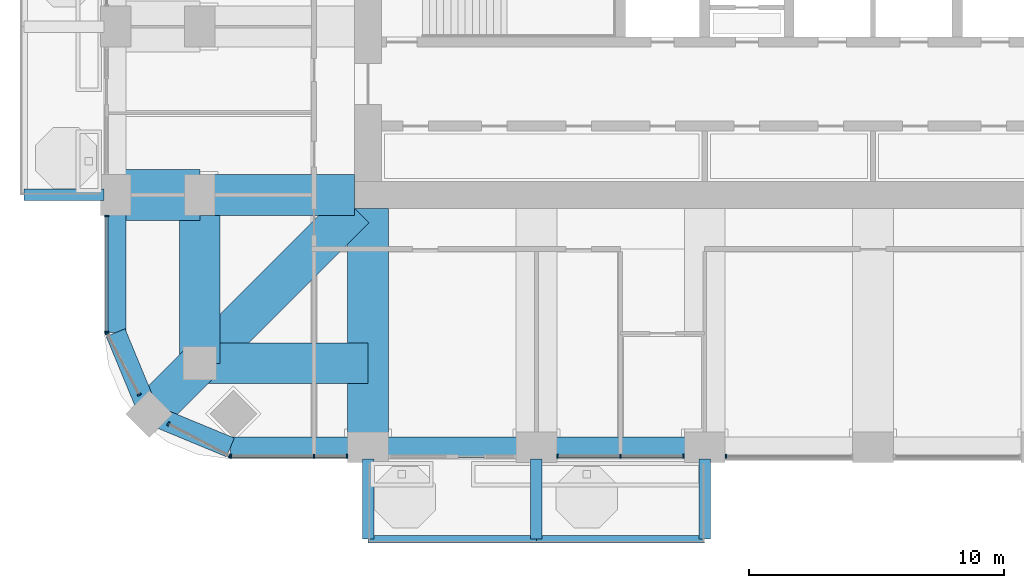
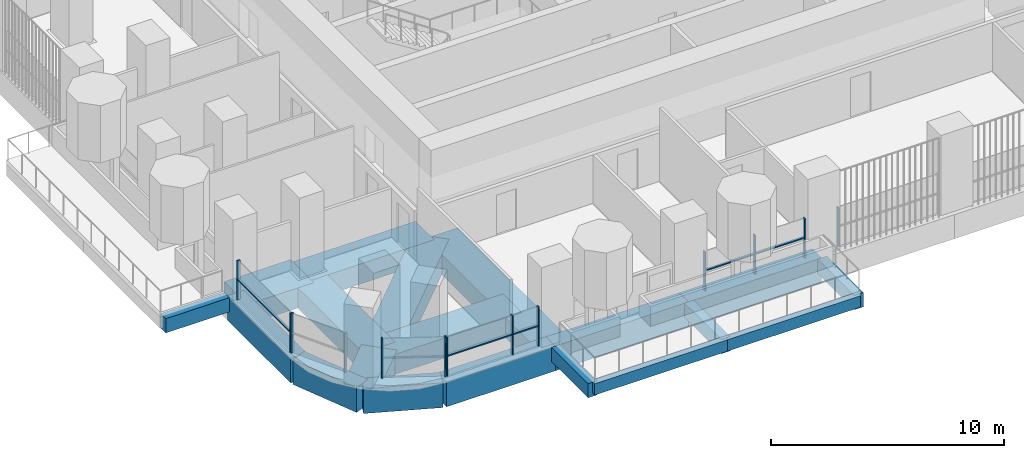
# One storey, part 2 of 20: 19 beams, 18 members, 6 elements without a shape of their own.
"""IFC4 building model written with IfcOpenShell, lengths in metres."""

from ifc_helpers import new_model, si_unit, direction, frame, origin, origin_2d, place, context, subcontext, project, spatial, rectangle, extrude, material, material_profile, profile_set, type_object, element, aggregate, save


model = new_model("IFC4")

# Units and contexts
model_context = context("Model", 3, precision=1e-05, world=origin(), true_north=direction((0.0, 1.0)))
body_context = subcontext(model_context, "Body", "Model", "MODEL_VIEW")
ifc_project = project(units=[si_unit("LENGTHUNIT", "METRE"), si_unit("AREAUNIT", "SQUARE_METRE"), si_unit("VOLUMEUNIT", "CUBIC_METRE"), si_unit("PLANEANGLEUNIT", "RADIAN"), si_unit("MASSUNIT", "GRAM", prefix="KILO")], contexts=[model_context])

# Site, building, storey
site_placement = place(None, origin())
site = spatial("IfcSite", under=ifc_project, at=site_placement, CompositionType="ELEMENT")
building_placement = place(site_placement, origin())
building = spatial("IfcBuilding", under=site, at=building_placement, Name="Cobogo Forest Laboratory Tower", CompositionType="ELEMENT")
storey_placement = place(building_placement, frame((0.0, 0.0, 218.699951171875)))
storey = spatial("IfcBuildingStorey", under=building, at=storey_placement, Name="L50", CompositionType="ELEMENT", Elevation=218.699951171875)

# Beams
ifc_material_1 = material(Name="Concrete HA-40 (C40/50)", Category="concrete")
ifc_material_profile_1 = material_profile(ifc_material_1, rectangle(XDim=0.449951171875, YDim=0.75, at=origin_2d()), Name="RC 450x750")
ifc_profile_set_1 = profile_set([ifc_material_profile_1], Name="Concrete HA-40 (C40/50)")
beam_type_1 = type_object("IfcBeamType", Name="Balcony cantilever beam 450x750", PredefinedType="BEAM", material=ifc_profile_set_1)
for number, where, z_axis, x_axis, name in (
    (1, (13.199951171875, 2.85009765625, -0.625), (0.0, -1.0, 0.0), (1.0, 0.0, 0.0), "CB1 BAL-S1-C1 L50"),
    (2, (19.800048828125, 2.85009765625, -0.625), (0.0, -1.0, 0.0), (1.0, 0.0, 0.0), "CB1 BAL-S1-C2 L50"),
    (3, (26.39990234375, 2.85009765625, -0.625), (0.0, -1.0, 0.0), (1.0, 0.0, 0.0), "CB1 BAL-S1-C3 L50"),
    (4, (2.85009765625, 13.199951171875, -0.625), (-1.0, 0.0, 0.0), (0.0, -1.0, 0.0), "CB1 BAL-W1-C1 L50"),
):
    element("IfcBeam", number, at=place(storey_placement, frame(where, z_axis=z_axis, x_axis=x_axis)), inside=storey, type_object=beam_type_1, Name=name, PredefinedType="BEAM", context=body_context, shape_type="SweptSolid", body=[
        extrude(rectangle(XDim=0.449951171875, YDim=0.75, at=origin_2d()), origin(), (0.0, 0.0, 1.0), 3.150146484375),
    ])
ifc_material_profile_2 = material_profile(ifc_material_1, rectangle(XDim=0.300048828125, YDim=0.60009765625, at=origin_2d()), Name="RC 300x600")
ifc_profile_set_2 = profile_set([ifc_material_profile_2], Name="Concrete HA-40 (C40/50)")
beam_type_2 = type_object("IfcBeamType", Name="Balcony edge beam 300x600", PredefinedType="BEAM", material=ifc_profile_set_2)
beam_1_placement = place(storey_placement, frame((13.199951171875, -0.300048828125, -0.550048828125), z_axis=(1.0, 0.0, 0.0), x_axis=(0.0, 1.0, 0.0)))
element("IfcBeam", 5, at=beam_1_placement, inside=storey, type_object=beam_type_2, Name="BB1 BAL-S1-T1 L50", PredefinedType="BEAM", context=body_context, shape_type="SweptSolid", body=[
    extrude(rectangle(XDim=0.300048828125, YDim=0.60009765625, at=origin_2d()), origin(), (0.0, 0.0, 1.0), 6.60009765625),
])
beam_2_placement = place(storey_placement, frame((19.800048828125, -0.300048828125, -0.550048828125), z_axis=(1.0, 0.0, 0.0), x_axis=(0.0, 1.0, 0.0)))
element("IfcBeam", 6, at=beam_2_placement, inside=storey, type_object=beam_type_2, Name="BB1 BAL-S1-T2 L50", PredefinedType="BEAM", context=body_context, shape_type="SweptSolid", body=[
    extrude(rectangle(XDim=0.300048828125, YDim=0.60009765625, at=origin_2d()), origin(), (0.0, 0.0, 1.0), 6.599853515625),
])
ifc_material_2 = material(Name="Concrete HA-50 (C50/60)", Category="concrete")
ifc_material_profile_3 = material_profile(ifc_material_2, rectangle(XDim=2.0, YDim=1.050048828125, at=origin_2d()), Name="RC 2000x1050")
ifc_profile_set_3 = profile_set([ifc_material_profile_3], Name="Concrete HA-50 (C50/60)")
beam_type_3 = type_object("IfcBeamType", Name="End-bay wide beam 2000x1050", PredefinedType="BEAM", material=ifc_profile_set_3)
beam_3_placement = place(storey_placement, frame((3.300048828125, 13.199951171875, -0.824951171875), z_axis=(1.0, 0.0, 0.0), x_axis=(0.0, 1.0, 0.0)))
element("IfcBeam", 7, at=beam_3_placement, inside=storey, type_object=beam_type_3, Name="RB7 R-C-W-X L50", PredefinedType="BEAM", context=body_context, shape_type="SweptSolid", body=[
    extrude(rectangle(XDim=2.0, YDim=1.050048828125, at=origin_2d()), origin(), (0.0, 0.0, 1.0), 3.300048828125),
])
ifc_material_profile_4 = material_profile(ifc_material_2, rectangle(XDim=1.60009765625, YDim=1.050048828125, at=origin_2d()), Name="RC 1600x1050")
ifc_profile_set_4 = profile_set([ifc_material_profile_4], Name="Concrete HA-50 (C50/60)")
beam_type_4 = type_object("IfcBeamType", Name="Laboratory floor wide beam 1600x1050", PredefinedType="BEAM", material=ifc_profile_set_4)
beam_4_placement = place(storey_placement, frame((13.199951171875, 12.675048828125, -0.824951171875), z_axis=(0.0, -1.0, 0.0), x_axis=(1.0, 0.0, 0.0)))
element("IfcBeam", 8, at=beam_4_placement, inside=storey, type_object=beam_type_4, Name="RB8 R-3-S L50", PredefinedType="BEAM", context=body_context, shape_type="SweptSolid", body=[
    extrude(rectangle(XDim=1.60009765625, YDim=1.050048828125, at=origin_2d()), origin(), (0.0, 0.0, 1.0), 9.375),
])
beam_5_placement = place(storey_placement, frame((12.675048828125, 13.199951171875, -0.824951171875), z_axis=(-1.0, 0.0, 0.0), x_axis=(0.0, -1.0, 0.0)))
element("IfcBeam", 9, at=beam_5_placement, inside=storey, type_object=beam_type_4, Name="RB8 R-C-W L50", PredefinedType="BEAM", context=body_context, shape_type="SweptSolid", body=[
    extrude(rectangle(XDim=1.60009765625, YDim=1.050048828125, at=origin_2d()), origin(), (0.0, 0.0, 1.0), 6.074951171875),
])
for number, where, z_axis, x_axis, name in (
    (10, (6.60009765625, 6.60009765625, -0.824951171875), (0.0, 1.0, 0.0), (-1.0, 0.0, 0.0), "RB8 G-SW-XC L50"),
    (11, (6.60009765625, 6.60009765625, -0.824951171875), (1.0, 0.0, 0.0), (0.0, 1.0, 0.0), "RB8 G-SW-YC L50"),
):
    element("IfcBeam", number, at=place(storey_placement, frame(where, z_axis=z_axis, x_axis=x_axis)), inside=storey, type_object=beam_type_4, Name=name, PredefinedType="BEAM", context=body_context, shape_type="SweptSolid", body=[
        extrude(rectangle(XDim=1.60009765625, YDim=1.050048828125, at=origin_2d()), origin(), (0.0, 0.0, 1.0), 6.599853515625),
    ])
beam_6_placement = place(storey_placement, frame((4.617919921875, 4.617919921875, -0.824951171875), z_axis=(0.707106781187, 0.707106781187, 0.0), x_axis=(-0.707106781187, 0.707106781187, 0.0)))
element("IfcBeam", 12, at=beam_6_placement, inside=storey, type_object=beam_type_4, Name="RB8 G-SW-D1 L50", PredefinedType="BEAM", context=body_context, shape_type="SweptSolid", body=[
    extrude(rectangle(XDim=1.60009765625, YDim=1.050048828125, at=origin_2d()), origin(), (0.0, 0.0, 1.0), 2.80322265625),
])
beam_7_placement = place(storey_placement, frame((6.60009765625, 6.60009765625, -0.824951171875), z_axis=(0.707106781187, 0.707106781187, 0.0), x_axis=(-0.707106781187, 0.707106781187, 0.0)))
element("IfcBeam", 13, at=beam_7_placement, inside=storey, type_object=beam_type_4, Name="RB8 G-SW-D2 L50", PredefinedType="BEAM", context=body_context, shape_type="SweptSolid", body=[
    extrude(rectangle(XDim=1.60009765625, YDim=1.050048828125, at=origin_2d()), origin(), (0.0, 0.0, 1.0), 8.59130859375),
])

# Curtain wall, members
ifc_material_3 = material(Name="Aluminium curtain wall", Category="aluminium")
curtain_wall_type = type_object("IfcCurtainWallType", Name="CW-2 unitised curtain wall, solar control glazing, laboratory floors zones C and D", PredefinedType="USERDEFINED", material=ifc_material_3)
curtain_wall_1_placement = place(storey_placement, origin())
curtain_wall_1 = element("IfcCurtainWall", 14, at=curtain_wall_1_placement, inside=storey, type_object=curtain_wall_type, Name="Curtain wall 01 L50", ObjectType="UNITISED CURTAIN WALL", PredefinedType="USERDEFINED")
ifc_material_4 = material(Name="Aluminium mullion", Category="aluminium")
ifc_material_profile_5 = material_profile(ifc_material_4, rectangle(XDim=0.06005859375, YDim=0.159912109375, at=origin_2d()), Name="AL 60x160")
ifc_profile_set_5 = profile_set([ifc_material_profile_5], Name="Aluminium mullion")
member_type_1 = type_object("IfcMemberType", Name="MU-1 aluminium mullion 60x160", PredefinedType="MULLION", material=ifc_profile_set_5)
member_1_placement = place(storey_placement, frame((7.830078125, 2.949951171875, 0.0), z_axis=(0.0, 0.0, 1.0), x_axis=(1.0, 0.0, 0.0)))
member_1 = element("IfcMember", 15, at=member_1_placement, type_object=member_type_1, Name="CW-2 mullion 1", PredefinedType="MULLION", context=body_context, shape_type="SweptSolid", body=[
    extrude(rectangle(XDim=0.06005859375, YDim=0.159912109375, at=origin_2d()), origin(), (0.0, 0.0, 1.0), 2.050048828125),
])
member_2_placement = place(storey_placement, frame((11.074951171875, 2.949951171875, 0.0), z_axis=(0.0, 0.0, 1.0), x_axis=(1.0, 0.0, 0.0)))
member_2 = element("IfcMember", 16, at=member_2_placement, type_object=member_type_1, Name="CW-2 mullion 2", PredefinedType="MULLION", context=body_context, shape_type="SweptSolid", body=[
    extrude(rectangle(XDim=0.06005859375, YDim=0.159912109375, at=origin_2d()), origin(), (0.0, 0.0, 1.0), 2.050048828125),
])
member_3_placement = place(storey_placement, frame((12.3701171875, 2.949951171875, 0.0), z_axis=(0.0, 0.0, 1.0), x_axis=(1.0, 0.0, 0.0)))
member_3 = element("IfcMember", 17, at=member_3_placement, type_object=member_type_1, Name="CW-2 mullion 3", PredefinedType="MULLION", context=body_context, shape_type="SweptSolid", body=[
    extrude(rectangle(XDim=0.06005859375, YDim=0.159912109375, at=origin_2d()), origin(), (0.0, 0.0, 1.0), 2.050048828125),
])

curtain_wall_2_placement = place(storey_placement, origin())
curtain_wall_2 = element("IfcCurtainWall", 18, at=curtain_wall_2_placement, inside=storey, type_object=curtain_wall_type, Name="Curtain wall 03 L50", ObjectType="UNITISED CURTAIN WALL", PredefinedType="USERDEFINED")
member_4_placement = place(storey_placement, frame((20.6298828125, 2.949951171875, 0.0), z_axis=(0.0, 0.0, 1.0), x_axis=(1.0, 0.0, 0.0)))
member_4 = element("IfcMember", 19, at=member_4_placement, type_object=member_type_1, Name="CW-2 mullion 1", PredefinedType="MULLION", context=body_context, shape_type="SweptSolid", body=[
    extrude(rectangle(XDim=0.06005859375, YDim=0.159912109375, at=origin_2d()), origin(), (0.0, 0.0, 1.0), 2.050048828125),
])
member_5_placement = place(storey_placement, frame((23.10009765625, 2.949951171875, 0.0), z_axis=(0.0, 0.0, 1.0), x_axis=(1.0, 0.0, 0.0)))
member_5 = element("IfcMember", 20, at=member_5_placement, type_object=member_type_1, Name="CW-2 mullion 2", PredefinedType="MULLION", context=body_context, shape_type="SweptSolid", body=[
    extrude(rectangle(XDim=0.06005859375, YDim=0.159912109375, at=origin_2d()), origin(), (0.0, 0.0, 1.0), 2.050048828125),
])
member_6_placement = place(storey_placement, frame((25.570068359375, 2.949951171875, 0.0), z_axis=(0.0, 0.0, 1.0), x_axis=(1.0, 0.0, 0.0)))
member_6 = element("IfcMember", 21, at=member_6_placement, type_object=member_type_1, Name="CW-2 mullion 3", PredefinedType="MULLION", context=body_context, shape_type="SweptSolid", body=[
    extrude(rectangle(XDim=0.06005859375, YDim=0.159912109375, at=origin_2d()), origin(), (0.0, 0.0, 1.0), 2.050048828125),
])

# Curtain wall, member
curtain_wall_3_placement = place(storey_placement, origin())
curtain_wall_3 = element("IfcCurtainWall", 22, at=curtain_wall_3_placement, inside=storey, type_object=curtain_wall_type, Name="Curtain wall 04 L50", ObjectType="UNITISED CURTAIN WALL", PredefinedType="USERDEFINED")
member_7_placement = place(storey_placement, frame((27.22998046875, 2.949951171875, 0.0), z_axis=(0.0, 0.0, 1.0), x_axis=(1.0, 0.0, 0.0)))
member_7 = element("IfcMember", 23, at=member_7_placement, type_object=member_type_1, Name="CW-2 mullion 1", PredefinedType="MULLION", context=body_context, shape_type="SweptSolid", body=[
    extrude(rectangle(XDim=0.06005859375, YDim=0.159912109375, at=origin_2d()), origin(), (0.0, 0.0, 1.0), 2.050048828125),
])
aggregate(curtain_wall_3, [member_7])

# Curtain wall, members
curtain_wall_4_placement = place(storey_placement, origin())
curtain_wall_4 = element("IfcCurtainWall", 24, at=curtain_wall_4_placement, inside=storey, type_object=curtain_wall_type, Name="Curtain wall 28 L50", ObjectType="UNITISED CURTAIN WALL", PredefinedType="USERDEFINED")
member_8_placement = place(storey_placement, frame((2.949951171875, 12.3701171875, 0.0), z_axis=(0.0, 0.0, 1.0), x_axis=(0.0, -1.0, 0.0)))
member_8 = element("IfcMember", 25, at=member_8_placement, type_object=member_type_1, Name="CW-2 mullion 1", PredefinedType="MULLION", context=body_context, shape_type="SweptSolid", body=[
    extrude(rectangle(XDim=0.06005859375, YDim=0.159912109375, at=origin_2d()), origin(), (0.0, 0.0, 1.0), 2.050048828125),
])
member_9_placement = place(storey_placement, frame((2.949951171875, 7.830078125, 0.0), z_axis=(0.0, 0.0, 1.0), x_axis=(0.0, -1.0, 0.0)))
member_9 = element("IfcMember", 26, at=member_9_placement, type_object=member_type_1, Name="CW-2 mullion 2", PredefinedType="MULLION", context=body_context, shape_type="SweptSolid", body=[
    extrude(rectangle(XDim=0.06005859375, YDim=0.159912109375, at=origin_2d()), origin(), (0.0, 0.0, 1.0), 2.050048828125),
])

curtain_wall_5_placement = place(storey_placement, origin())
curtain_wall_5 = element("IfcCurtainWall", 27, at=curtain_wall_5_placement, inside=storey, type_object=curtain_wall_type, Name="Curtain wall 29 L50", ObjectType="UNITISED CURTAIN WALL", PredefinedType="USERDEFINED")
member_10_placement = place(storey_placement, frame((2.9638671875, 7.7734375, 0.0), z_axis=(0.0, 0.0, 1.0), x_axis=(0.464283685186, -0.885686547075, 0.0)))
member_10 = element("IfcMember", 28, at=member_10_placement, type_object=member_type_1, Name="CW-2 mullion 1", PredefinedType="MULLION", context=body_context, shape_type="SweptSolid", body=[
    extrude(rectangle(XDim=0.06005859375, YDim=0.159912109375, at=origin_2d()), origin(), (0.0, 0.0, 1.0), 2.050048828125),
])
member_11_placement = place(storey_placement, frame((4.224609375, 5.368408203125, 0.0), z_axis=(0.0, 0.0, 1.0), x_axis=(0.464283685186, -0.885686547075, 0.0)))
member_11 = element("IfcMember", 29, at=member_11_placement, type_object=member_type_1, Name="CW-2 mullion 2", PredefinedType="MULLION", context=body_context, shape_type="SweptSolid", body=[
    extrude(rectangle(XDim=0.06005859375, YDim=0.159912109375, at=origin_2d()), origin(), (0.0, 0.0, 1.0), 2.050048828125),
])
aggregate(curtain_wall_5, [member_10, member_11])

curtain_wall_6_placement = place(storey_placement, origin())
curtain_wall_6 = element("IfcCurtainWall", 30, at=curtain_wall_6_placement, inside=storey, type_object=curtain_wall_type, Name="Curtain wall 30 L50", ObjectType="UNITISED CURTAIN WALL", PredefinedType="USERDEFINED")
member_12_placement = place(storey_placement, frame((5.368408203125, 4.224609375, 0.0), z_axis=(0.0, 0.0, 1.0), x_axis=(0.885686547075, -0.464283685186, 0.0)))
member_12 = element("IfcMember", 31, at=member_12_placement, type_object=member_type_1, Name="CW-2 mullion 1", PredefinedType="MULLION", context=body_context, shape_type="SweptSolid", body=[
    extrude(rectangle(XDim=0.06005859375, YDim=0.159912109375, at=origin_2d()), origin(), (0.0, 0.0, 1.0), 2.050048828125),
])
member_13_placement = place(storey_placement, frame((7.7734375, 2.9638671875, 0.0), z_axis=(0.0, 0.0, 1.0), x_axis=(0.885686547075, -0.464283685186, 0.0)))
member_13 = element("IfcMember", 32, at=member_13_placement, type_object=member_type_1, Name="CW-2 mullion 2", PredefinedType="MULLION", context=body_context, shape_type="SweptSolid", body=[
    extrude(rectangle(XDim=0.06005859375, YDim=0.159912109375, at=origin_2d()), origin(), (0.0, 0.0, 1.0), 2.050048828125),
])
aggregate(curtain_wall_6, [member_12, member_13])

# Beams
ifc_material_profile_6 = material_profile(ifc_material_1, rectangle(XDim=0.800048828125, YDim=1.300048828125, at=origin_2d()), Name="RC 800x1300")
ifc_profile_set_6 = profile_set([ifc_material_profile_6], Name="Concrete HA-40 (C40/50)")
beam_type_5 = type_object("IfcBeamType", Name="Perimeter edge beam 800x1300", PredefinedType="BEAM", material=ifc_profile_set_6)
beam_8_placement = place(storey_placement, frame((13.199951171875, 3.300048828125, -0.949951171875), z_axis=(1.0, 0.0, 0.0), x_axis=(0.0, 1.0, 0.0)))
element("IfcBeam", 33, at=beam_8_placement, inside=storey, type_object=beam_type_5, Name="EB2 E-S1 L50", PredefinedType="BEAM", context=body_context, shape_type="SweptSolid", body=[
    extrude(rectangle(XDim=0.800048828125, YDim=1.300048828125, at=origin_2d()), origin(), (0.0, 0.0, 1.0), 6.60009765625),
])
beam_9_placement = place(storey_placement, frame((19.800048828125, 3.300048828125, -0.949951171875), z_axis=(1.0, 0.0, 0.0), x_axis=(0.0, 1.0, 0.0)))
element("IfcBeam", 34, at=beam_9_placement, inside=storey, type_object=beam_type_5, Name="EB2 E-S2 L50", PredefinedType="BEAM", context=body_context, shape_type="SweptSolid", body=[
    extrude(rectangle(XDim=0.800048828125, YDim=1.300048828125, at=origin_2d()), origin(), (0.0, 0.0, 1.0), 6.599853515625),
])
beam_10_placement = place(storey_placement, frame((13.199951171875, 3.300048828125, -0.949951171875), z_axis=(-1.0, 0.0, 0.0), x_axis=(0.0, -1.0, 0.0)))
element("IfcBeam", 35, at=beam_10_placement, inside=storey, type_object=beam_type_5, Name="EB2 E-SWS1 L50", PredefinedType="BEAM", context=body_context, shape_type="SweptSolid", body=[
    extrude(rectangle(XDim=0.800048828125, YDim=1.300048828125, at=origin_2d()), origin(), (0.0, 0.0, 1.0), 5.39990234375),
])
beam_11_placement = place(storey_placement, frame((7.800048828125, 3.300048828125, -0.949951171875), z_axis=(-0.923901072997, 0.382631424892, 0.0), x_axis=(-0.382631424892, -0.923901072997, 0.0)))
element("IfcBeam", 36, at=beam_11_placement, inside=storey, type_object=beam_type_5, Name="EB2 E-SWS2 L50", PredefinedType="BEAM", context=body_context, shape_type="SweptSolid", body=[
    extrude(rectangle(XDim=0.800048828125, YDim=1.300048828125, at=origin_2d()), origin(), (0.0, 0.0, 1.0), 3.4443359375),
])
beam_12_placement = place(storey_placement, frame((3.300048828125, 13.199951171875, -0.949951171875), z_axis=(0.0, -1.0, 0.0), x_axis=(1.0, 0.0, 0.0)))
element("IfcBeam", 37, at=beam_12_placement, inside=storey, type_object=beam_type_5, Name="EB2 E-SWW1 L50", PredefinedType="BEAM", context=body_context, shape_type="SweptSolid", body=[
    extrude(rectangle(XDim=0.800048828125, YDim=1.300048828125, at=origin_2d()), origin(), (0.0, 0.0, 1.0), 5.39990234375),
])
beam_13_placement = place(storey_placement, frame((3.300048828125, 7.800048828125, -0.949951171875), z_axis=(0.382631424892, -0.923901072997, 0.0), x_axis=(0.923901072997, 0.382631424892, 0.0)))
element("IfcBeam", 38, at=beam_13_placement, inside=storey, type_object=beam_type_5, Name="EB2 E-SWW2 L50", PredefinedType="BEAM", context=body_context, shape_type="SweptSolid", body=[
    extrude(rectangle(XDim=0.800048828125, YDim=1.300048828125, at=origin_2d()), origin(), (0.0, 0.0, 1.0), 3.4443359375),
])

# Member
ifc_material_5 = material(Name="Aluminium transom", Category="aluminium")
ifc_material_profile_7 = material_profile(ifc_material_5, rectangle(XDim=0.1201171875, YDim=0.06005859375, at=origin_2d()), Name="AL 60x120")
ifc_profile_set_7 = profile_set([ifc_material_profile_7], Name="Aluminium transom")
member_type_2 = type_object("IfcMemberType", Name="TR-1 aluminium transom 60x120", PredefinedType="USERDEFINED", material=ifc_profile_set_7)
member_14_placement = place(storey_placement, frame((7.860107421875, 2.949951171875, 1.050048828125), z_axis=(1.0, 0.0, 0.0), x_axis=(0.0, 1.0, 0.0)))
member_14 = element("IfcMember", 39, at=member_14_placement, type_object=member_type_2, Name="CW-2 transom 1.1", ObjectType="TRANSOM", PredefinedType="USERDEFINED", context=body_context, shape_type="SweptSolid", body=[
    extrude(rectangle(XDim=0.1201171875, YDim=0.06005859375, at=origin_2d()), origin(), (0.0, 0.0, 1.0), 3.184814453125),
])

member_15_placement = place(storey_placement, frame((11.10498046875, 2.949951171875, 1.050048828125), z_axis=(1.0, 0.0, 0.0), x_axis=(0.0, 1.0, 0.0)))
member_15 = element("IfcMember", 40, at=member_15_placement, type_object=member_type_2, Name="CW-2 transom 2.1", ObjectType="TRANSOM", PredefinedType="USERDEFINED", context=body_context, shape_type="SweptSolid", body=[
    extrude(rectangle(XDim=0.1201171875, YDim=0.06005859375, at=origin_2d()), origin(), (0.0, 0.0, 1.0), 1.235107421875),
])

aggregate(curtain_wall_1, [member_1, member_2, member_3, member_14, member_15])

member_16_placement = place(storey_placement, frame((20.659912109375, 2.949951171875, 1.050048828125), z_axis=(1.0, 0.0, 0.0), x_axis=(0.0, 1.0, 0.0)))
member_16 = element("IfcMember", 41, at=member_16_placement, type_object=member_type_2, Name="CW-2 transom 1.1", ObjectType="TRANSOM", PredefinedType="USERDEFINED", context=body_context, shape_type="SweptSolid", body=[
    extrude(rectangle(XDim=0.1201171875, YDim=0.06005859375, at=origin_2d()), origin(), (0.0, 0.0, 1.0), 2.41015625),
])

member_17_placement = place(storey_placement, frame((23.1298828125, 2.949951171875, 1.050048828125), z_axis=(1.0, 0.0, 0.0), x_axis=(0.0, 1.0, 0.0)))
member_17 = element("IfcMember", 42, at=member_17_placement, type_object=member_type_2, Name="CW-2 transom 2.1", ObjectType="TRANSOM", PredefinedType="USERDEFINED", context=body_context, shape_type="SweptSolid", body=[
    extrude(rectangle(XDim=0.1201171875, YDim=0.06005859375, at=origin_2d()), origin(), (0.0, 0.0, 1.0), 2.41015625),
])

aggregate(curtain_wall_2, [member_4, member_5, member_6, member_16, member_17])

member_18_placement = place(storey_placement, frame((2.949951171875, 12.340087890625, 1.050048828125), z_axis=(0.0, -1.0, 0.0), x_axis=(1.0, 0.0, 0.0)))
member_18 = element("IfcMember", 43, at=member_18_placement, type_object=member_type_2, Name="CW-2 transom 1.1", ObjectType="TRANSOM", PredefinedType="USERDEFINED", context=body_context, shape_type="SweptSolid", body=[
    extrude(rectangle(XDim=0.1201171875, YDim=0.06005859375, at=origin_2d()), origin(), (0.0, 0.0, 1.0), 4.47998046875),
])

aggregate(curtain_wall_4, [member_8, member_9, member_18])

save(model, "model.ifc")
